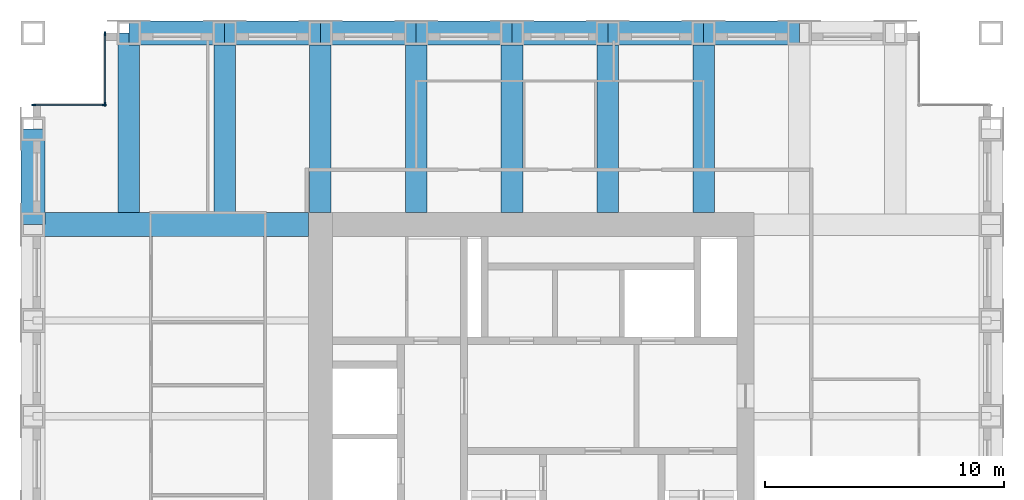
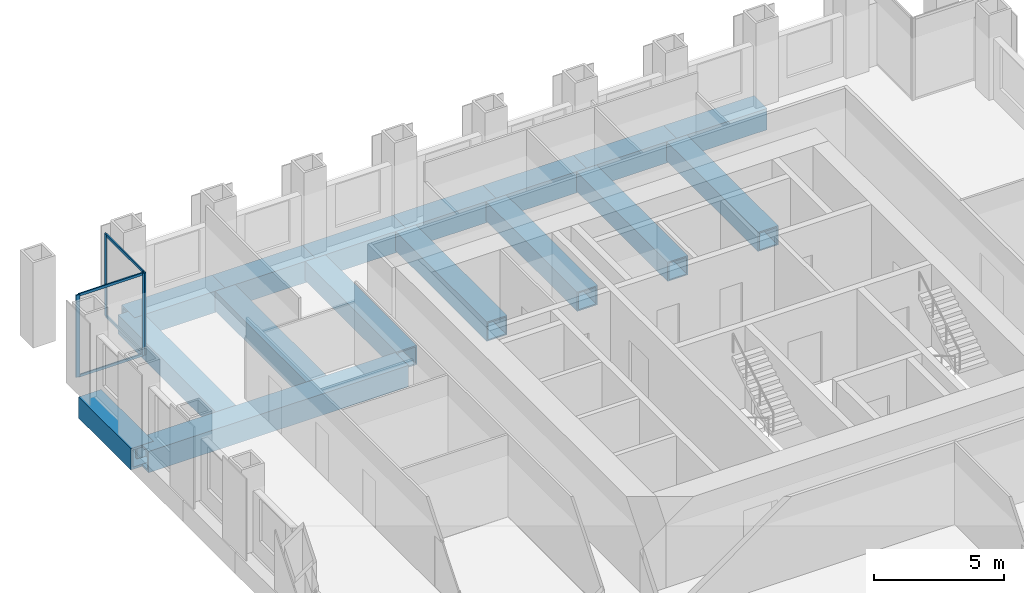
# One storey, part 5 of 11: 16 beams, 8 members, 2 elements without a shape of their own.
"""IFC4 building model written with IfcOpenShell, lengths in metres."""

from ifc_helpers import new_model, si_unit, direction, frame, origin, origin_2d, place, context, subcontext, project, spatial, rectangle, hollow_rectangle, extrude, material, material_profile, profile_set, type_object, element, aggregate, save


model = new_model("IFC4")

# Units and contexts
model_context = context("Model", 3, precision=1e-05, world=origin(), true_north=direction((0.0, 1.0)))
body_context = subcontext(model_context, "Body", "Model", "MODEL_VIEW")
ifc_project = project(units=[si_unit("LENGTHUNIT", "METRE"), si_unit("AREAUNIT", "SQUARE_METRE"), si_unit("VOLUMEUNIT", "CUBIC_METRE"), si_unit("PLANEANGLEUNIT", "RADIAN"), si_unit("MASSUNIT", "GRAM", prefix="KILO")], contexts=[model_context])

# Site, building, storey
site_placement = place(None, origin())
site = spatial("IfcSite", under=ifc_project, at=site_placement, CompositionType="ELEMENT")
building_placement = place(site_placement, origin())
building = spatial("IfcBuilding", under=site, at=building_placement, Name="Rimbunsela Tower", CompositionType="ELEMENT")
storey_placement = place(building_placement, frame((0.0, 0.0, 282.199951171875)))
storey = spatial("IfcBuildingStorey", under=building, at=storey_placement, Name="L68", CompositionType="ELEMENT", Elevation=282.199951171875)

# Beams
ifc_material_1 = material(Name="Steel BJ 55 (fy 410 MPa)", Category="steel")
ifc_material_profile_1 = material_profile(ifc_material_1, hollow_rectangle(XDim=1.0, YDim=1.0, WallThickness=0.10009765625, at=origin_2d()), Name="BOX 1000x1000x100")
ifc_profile_set_1 = profile_set([ifc_material_profile_1], Name="Steel BJ 55 (fy 410 MPa)")
beam_type_1 = type_object("IfcBeamType", Name="Beam BOX 1000x1000x100", PredefinedType="BEAM", material=ifc_profile_set_1)
beam_1_placement = place(storey_placement, frame((6.0, 36.0, -0.64990234375), z_axis=(0.0, 1.0, 0.0), x_axis=(-1.0, 0.0, 0.0)))
element("IfcBeam", 1, at=beam_1_placement, inside=storey, type_object=beam_type_1, Name="Beam B3 L68", PredefinedType="BEAM", context=body_context, shape_type="SweptSolid", body=[
    extrude(hollow_rectangle(XDim=1.0, YDim=1.0, WallThickness=0.10009765625, at=origin_2d()), origin(), (0.0, 0.0, 1.0), 4.0),
])
beam_2_placement = place(storey_placement, frame((6.0, 36.0, -0.64990234375), z_axis=(1.0, 0.0, 0.0), x_axis=(0.0, 1.0, 0.0)))
element("IfcBeam", 2, at=beam_2_placement, inside=storey, type_object=beam_type_1, Name="Beam B3 L68", PredefinedType="BEAM", context=body_context, shape_type="SweptSolid", body=[
    extrude(hollow_rectangle(XDim=1.0, YDim=1.0, WallThickness=0.10009765625, at=origin_2d()), origin(), (0.0, 0.0, 1.0), 11.5),
])
for number, where, z_axis, x_axis, name in (
    (3, (10.0, 44.0, -0.64990234375), (1.0, 0.0, 0.0), (0.0, 1.0, 0.0), "Beam B3 L68"),
    (4, (14.0, 44.0, -0.64990234375), (1.0, 0.0, 0.0), (0.0, 1.0, 0.0), "Beam B3 L68"),
    (5, (18.0, 44.0, -0.64990234375), (1.0, 0.0, 0.0), (0.0, 1.0, 0.0), "Beam B3 L68"),
    (6, (22.0, 44.0, -0.64990234375), (1.0, 0.0, 0.0), (0.0, 1.0, 0.0), "Beam B3 L68"),
    (7, (26.0, 44.0, -0.64990234375), (1.0, 0.0, 0.0), (0.0, 1.0, 0.0), "Beam B3 L68"),
    (8, (30.0, 44.0, -0.64990234375), (1.0, 0.0, 0.0), (0.0, 1.0, 0.0), "Beam B3 L68"),
    (9, (34.0, 44.0, -0.64990234375), (1.0, 0.0, 0.0), (0.0, 1.0, 0.0), "Beam B3 L68"),
):
    element("IfcBeam", number, at=place(storey_placement, frame(where, z_axis=z_axis, x_axis=x_axis)), inside=storey, type_object=beam_type_1, Name=name, PredefinedType="BEAM", context=body_context, shape_type="SweptSolid", body=[
        extrude(hollow_rectangle(XDim=1.0, YDim=1.0, WallThickness=0.10009765625, at=origin_2d()), origin(), (0.0, 0.0, 1.0), 4.0),
    ])
ifc_material_2 = material(Name="Steel BJ 55 (fy 410 MPa)", Category="steel")
ifc_material_profile_2 = material_profile(ifc_material_2, hollow_rectangle(XDim=0.89990234375, YDim=0.89990234375, WallThickness=0.06005859375, at=origin_2d()), Name="BOX 900x900x60")
ifc_profile_set_2 = profile_set([ifc_material_profile_2], Name="Steel BJ 55 (fy 410 MPa)")
beam_type_2 = type_object("IfcBeamType", Name="Beam BOX 900x900x60", PredefinedType="BEAM", material=ifc_profile_set_2)
for number, where, z_axis, x_axis, name in (
    (10, (10.0, 36.5, -0.599853515625), (0.0, 1.0, 0.0), (-1.0, 0.0, 0.0), "Beam B1 L68"),
    (11, (14.0, 36.5, -0.599853515625), (0.0, 1.0, 0.0), (-1.0, 0.0, 0.0), "Beam B1 L68"),
    (12, (18.0, 36.5, -0.599853515625), (0.0, 1.0, 0.0), (-1.0, 0.0, 0.0), "Beam B1 L68"),
    (13, (22.0, 36.5, -0.599853515625), (0.0, 1.0, 0.0), (-1.0, 0.0, 0.0), "Beam B1 L68"),
    (14, (26.0, 36.5, -0.599853515625), (0.0, 1.0, 0.0), (-1.0, 0.0, 0.0), "Beam B1 L68"),
    (15, (30.0, 36.5, -0.599853515625), (0.0, 1.0, 0.0), (-1.0, 0.0, 0.0), "Beam B1 L68"),
    (16, (34.0, 36.5, -0.599853515625), (0.0, 1.0, 0.0), (-1.0, 0.0, 0.0), "Beam B1 L68"),
):
    element("IfcBeam", number, at=place(storey_placement, frame(where, z_axis=z_axis, x_axis=x_axis)), inside=storey, type_object=beam_type_2, Name=name, PredefinedType="BEAM", context=body_context, shape_type="SweptSolid", body=[
        extrude(hollow_rectangle(XDim=0.89990234375, YDim=0.89990234375, WallThickness=0.06005859375, at=origin_2d()), origin(), (0.0, 0.0, 1.0), 7.5),
    ])

# Curtain wall, members
ifc_material_3 = material(Name="Aluminium curtain wall", Category="aluminium")
curtain_wall_type = type_object("IfcCurtainWallType", Name="Corner glazing", PredefinedType="USERDEFINED", material=ifc_material_3)
curtain_wall_1_placement = place(storey_placement, origin())
curtain_wall_1 = element("IfcCurtainWall", 17, at=curtain_wall_1_placement, inside=storey, type_object=curtain_wall_type, Name="Corner glazing L68", ObjectType="CORNER GLAZING", PredefinedType="USERDEFINED")
ifc_material_4 = material(Name="Aluminium mullion", Category="aluminium")
ifc_material_profile_3 = material_profile(ifc_material_4, rectangle(XDim=0.06005859375, YDim=0.159912109375, at=origin_2d()), Name="Mullion 60x160")
ifc_profile_set_3 = profile_set([ifc_material_profile_3], Name="Aluminium mullion")
member_type_1 = type_object("IfcMemberType", Name="Curtain wall mullion 60x160", PredefinedType="MULLION", material=ifc_profile_set_3)
member_1_placement = place(storey_placement, frame((9.0, 43.969970703125, 0.0), z_axis=(0.0, 0.0, 1.0), x_axis=(1.0, 0.0, 0.0)))
member_1 = element("IfcMember", 18, at=member_1_placement, type_object=member_type_1, Name="CW5 mullion 1", PredefinedType="MULLION", context=body_context, shape_type="SweptSolid", body=[
    extrude(rectangle(XDim=0.06005859375, YDim=0.159912109375, at=origin_2d()), origin(), (0.0, 0.0, 1.0), 3.85009765625),
])
member_2_placement = place(storey_placement, frame((9.0, 41.030029296875, 0.0), z_axis=(0.0, 0.0, 1.0), x_axis=(1.0, 0.0, 0.0)))
member_2 = element("IfcMember", 19, at=member_2_placement, type_object=member_type_1, Name="CW5 mullion 2", PredefinedType="MULLION", context=body_context, shape_type="SweptSolid", body=[
    extrude(rectangle(XDim=0.06005859375, YDim=0.159912109375, at=origin_2d()), origin(), (0.0, 0.0, 1.0), 3.85009765625),
])

curtain_wall_2_placement = place(storey_placement, origin())
curtain_wall_2 = element("IfcCurtainWall", 20, at=curtain_wall_2_placement, inside=storey, type_object=curtain_wall_type, Name="Corner glazing L68", ObjectType="CORNER GLAZING", PredefinedType="USERDEFINED")
member_3_placement = place(storey_placement, frame((8.969970703125, 41.0, 0.0), z_axis=(0.0, 0.0, 1.0), x_axis=(0.0, -1.0, 0.0)))
member_3 = element("IfcMember", 21, at=member_3_placement, type_object=member_type_1, Name="CW5 mullion 1", PredefinedType="MULLION", context=body_context, shape_type="SweptSolid", body=[
    extrude(rectangle(XDim=0.06005859375, YDim=0.159912109375, at=origin_2d()), origin(), (0.0, 0.0, 1.0), 3.85009765625),
])
member_4_placement = place(storey_placement, frame((6.030029296875, 41.0, 0.0), z_axis=(0.0, 0.0, 1.0), x_axis=(0.0, -1.0, 0.0)))
member_4 = element("IfcMember", 22, at=member_4_placement, type_object=member_type_1, Name="CW5 mullion 2", PredefinedType="MULLION", context=body_context, shape_type="SweptSolid", body=[
    extrude(rectangle(XDim=0.06005859375, YDim=0.159912109375, at=origin_2d()), origin(), (0.0, 0.0, 1.0), 3.85009765625),
])

# Member
ifc_material_5 = material(Name="Aluminium transom", Category="aluminium")
ifc_material_profile_4 = material_profile(ifc_material_5, rectangle(XDim=0.06005859375, YDim=0.1201171875, at=origin_2d()), Name="Transom 60x120")
ifc_profile_set_4 = profile_set([ifc_material_profile_4], Name="Aluminium transom")
member_type_2 = type_object("IfcMemberType", Name="Curtain wall transom 60x120", PredefinedType="USERDEFINED", material=ifc_profile_set_4)
member_5_placement = place(storey_placement, frame((9.0, 43.93994140625, 0.030029296875), z_axis=(0.0, -1.0, 0.0), x_axis=(1.0, 0.0, 0.0)))
member_5 = element("IfcMember", 23, at=member_5_placement, type_object=member_type_2, Name="CW5 transom 1.1", ObjectType="TRANSOM", PredefinedType="USERDEFINED", context=body_context, shape_type="SweptSolid", body=[
    extrude(rectangle(XDim=0.06005859375, YDim=0.1201171875, at=origin_2d()), origin(), (0.0, 0.0, 1.0), 2.8798828125),
])

member_6_placement = place(storey_placement, frame((9.0, 43.93994140625, 3.820068359375), z_axis=(0.0, -1.0, 0.0), x_axis=(1.0, 0.0, 0.0)))
member_6 = element("IfcMember", 24, at=member_6_placement, type_object=member_type_2, Name="CW5 transom 1.2", ObjectType="TRANSOM", PredefinedType="USERDEFINED", context=body_context, shape_type="SweptSolid", body=[
    extrude(rectangle(XDim=0.06005859375, YDim=0.1201171875, at=origin_2d()), origin(), (0.0, 0.0, 1.0), 2.8798828125),
])

aggregate(curtain_wall_1, [member_1, member_2, member_5, member_6])

member_7_placement = place(storey_placement, frame((8.93994140625, 41.0, 0.030029296875), z_axis=(-1.0, 0.0, 0.0), x_axis=(0.0, -1.0, 0.0)))
member_7 = element("IfcMember", 25, at=member_7_placement, type_object=member_type_2, Name="CW5 transom 1.1", ObjectType="TRANSOM", PredefinedType="USERDEFINED", context=body_context, shape_type="SweptSolid", body=[
    extrude(rectangle(XDim=0.06005859375, YDim=0.1201171875, at=origin_2d()), origin(), (0.0, 0.0, 1.0), 2.8798828125),
])

member_8_placement = place(storey_placement, frame((8.93994140625, 41.0, 3.820068359375), z_axis=(-1.0, 0.0, 0.0), x_axis=(0.0, -1.0, 0.0)))
member_8 = element("IfcMember", 26, at=member_8_placement, type_object=member_type_2, Name="CW5 transom 1.2", ObjectType="TRANSOM", PredefinedType="USERDEFINED", context=body_context, shape_type="SweptSolid", body=[
    extrude(rectangle(XDim=0.06005859375, YDim=0.1201171875, at=origin_2d()), origin(), (0.0, 0.0, 1.0), 2.8798828125),
])

aggregate(curtain_wall_2, [member_3, member_4, member_7, member_8])

save(model, "model.ifc")
